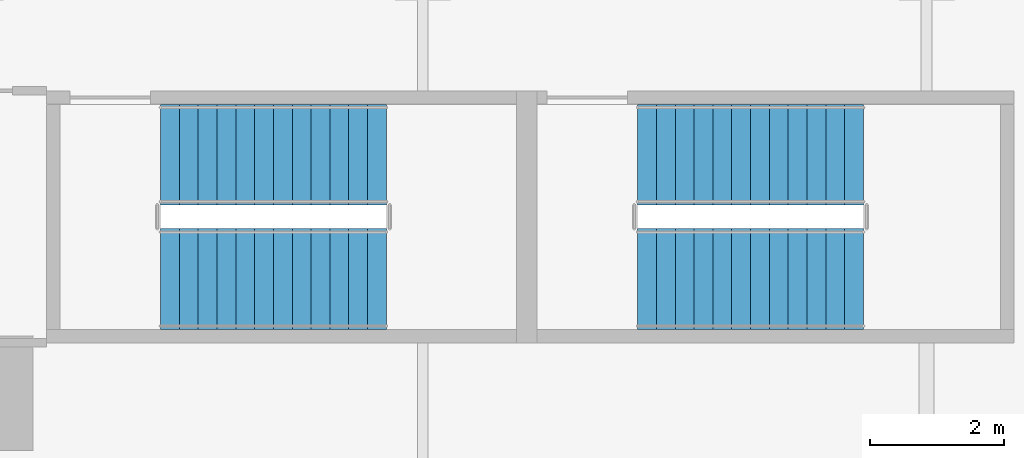
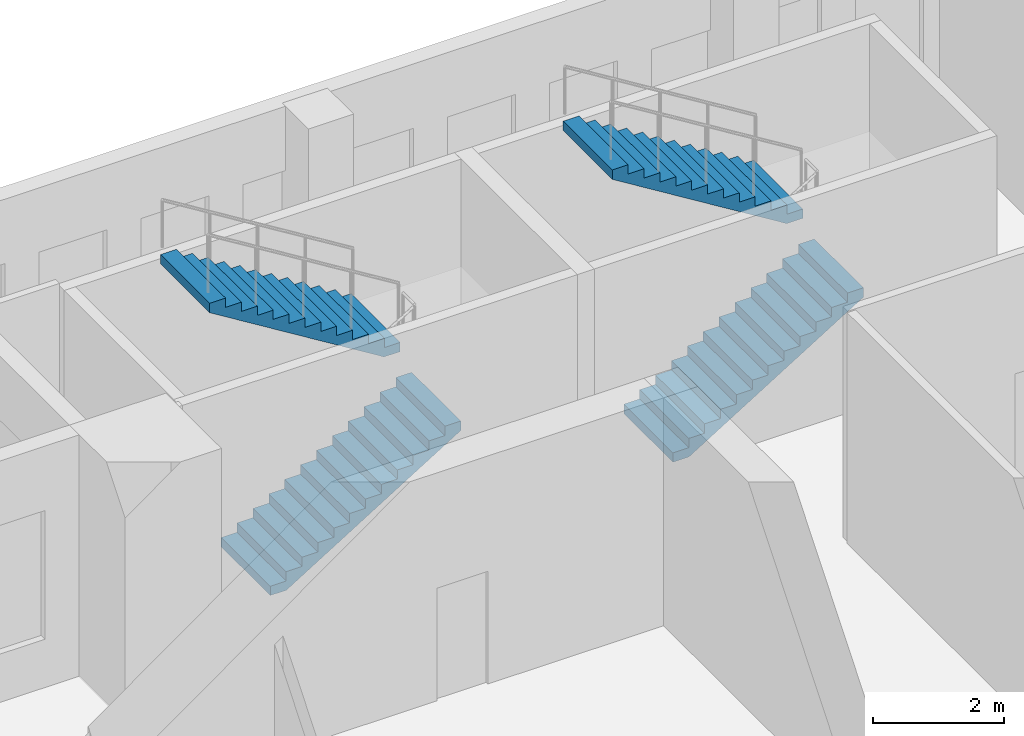
# One storey, part 7 of 11: 4 stair flights, 2 elements without a shape of their own.
"""IFC4 building model written with IfcOpenShell, lengths in metres."""

from ifc_helpers import new_model, si_unit, direction, frame, origin, place, context, subcontext, project, spatial, polyline, outline, extrude, source, transform, mapped, material, type_object, element, aggregate, save


model = new_model("IFC4")

# Units and contexts
model_context = context("Model", 3, precision=1e-05, world=origin(), true_north=direction((0.0, 1.0)))
body_context = subcontext(model_context, "Body", "Model", "MODEL_VIEW")
ifc_project = project(units=[si_unit("LENGTHUNIT", "METRE"), si_unit("AREAUNIT", "SQUARE_METRE"), si_unit("VOLUMEUNIT", "CUBIC_METRE"), si_unit("PLANEANGLEUNIT", "RADIAN"), si_unit("MASSUNIT", "GRAM", prefix="KILO")], contexts=[model_context])

# Site, building, storey
site_placement = place(None, origin())
site = spatial("IfcSite", under=ifc_project, at=site_placement, CompositionType="ELEMENT")
building_placement = place(site_placement, origin())
building = spatial("IfcBuilding", under=site, at=building_placement, Name="Khomas Fold Tower", CompositionType="ELEMENT")
storey_placement = place(building_placement, frame((0.0, 0.0, 334.699951171875)))
storey = spatial("IfcBuildingStorey", under=building, at=storey_placement, Name="C2", CompositionType="ELEMENT", Elevation=334.699951171875)

# Stair, stair flights
ifc_material_1 = material(Name="Concrete C40/50", Category="concrete")
stair_type_1 = type_object("IfcStairType", Name="Stair ST1", PredefinedType="HALF_TURN_STAIR", material=ifc_material_1)
stair_1_placement = place(storey_placement, origin())
stair_1 = element("IfcStair", 1, at=stair_1_placement, inside=storey, type_object=stair_type_1, Name="C2 ST1", PredefinedType="HALF_TURN_STAIR")
ifc_material_2 = material(Name="Concrete C40/50", Category="concrete")
stair_flight_type_1 = type_object("IfcStairFlightType", Name="Stair flight 1500 ST1", PredefinedType="STRAIGHT", material=ifc_material_2)
shared_shape = source(origin(), body_context, "Body", "SweptSolid", [
    extrude(outline(polyline([(0.0, 0.0), (0.0, 0.013427734375), (0.0, 0.026611328125), (0.0, 0.0400390625), (0.0, 0.05322265625), (0.0, 0.066650390625), (0.0, 0.079833984375), (0.0, 0.09326171875), (0.0, 0.1064453125), (0.0, 0.119873046875), (0.0, 0.133056640625), (0.0, 0.146484375), (0.0, 0.15966796875), (0.0, 0.173095703125), (0.280029296875, 0.173095703125), (0.280029296875, 0.34619140625), (0.56005859375, 0.34619140625), (0.56005859375, 0.519287109375), (0.840087890625, 0.519287109375), (0.840087890625, 0.6923828125), (1.1201171875, 0.6923828125), (1.1201171875, 0.865478515625), (1.39990234375, 0.865478515625), (1.39990234375, 1.03857421875), (1.679931640625, 1.03857421875), (1.679931640625, 1.21142578125), (1.9599609375, 1.21142578125), (1.9599609375, 1.384521484375), (2.239990234375, 1.384521484375), (2.239990234375, 1.5576171875), (2.52001953125, 1.5576171875), (2.52001953125, 1.730712890625), (2.800048828125, 1.730712890625), (2.800048828125, 1.90380859375), (3.080078125, 1.90380859375), (3.080078125, 2.076904296875), (3.360107421875, 2.076904296875), (3.360107421875, 2.25), (3.360107421875, 2.22314453125), (3.360107421875, 2.1962890625), (3.360107421875, 2.16943359375), (3.360107421875, 2.142578125), (3.360107421875, 2.11572265625), (3.360107421875, 2.0888671875), (3.360107421875, 2.06201171875), (3.360107421875, 2.03515625), (3.360107421875, 2.008056640625), (3.360107421875, 1.981201171875), (3.360107421875, 1.954345703125), (3.360107421875, 1.927490234375), (3.360107421875, 1.900634765625), (0.28515625, 0.0), (0.0, 0.0)])), frame((0.0, 0.75, 0.0), z_axis=(0.0, -1.0, 0.0), x_axis=(1.0, 0.0, 0.0)), (0.0, 0.0, 1.0), 1.5),
])
stair_flight_1_placement = place(storey_placement, frame((15.60009765625, 42.85009765625, 0.0), z_axis=(0.0, 0.0, 1.0), x_axis=(1.0, 0.0, 0.0)))
stair_flight_1 = element("IfcStairFlight", 2, at=stair_flight_1_placement, type_object=stair_flight_type_1, Name="ST1 flight 1", NumberOfRisers=13, NumberOfTreads=12, PredefinedType="STRAIGHT", RiserHeight=0.173076923, TreadLength=0.28, context=body_context, shape_type="MappedRepresentation", body=[
    mapped(shared_shape, transform((0.0, 0.0, 0.0))),
])
stair_flight_2_placement = place(storey_placement, frame((18.9599609375, 44.699951171875, 2.25), z_axis=(0.0, 0.0, 1.0), x_axis=(-1.0, 0.0, 0.0)))
stair_flight_2 = element("IfcStairFlight", 3, at=stair_flight_2_placement, type_object=stair_flight_type_1, Name="ST1 flight 2", NumberOfRisers=13, NumberOfTreads=12, PredefinedType="STRAIGHT", RiserHeight=0.173076923, TreadLength=0.28, context=body_context, shape_type="MappedRepresentation", body=[
    mapped(shared_shape, transform((0.0, 0.0, 0.0))),
])
aggregate(stair_1, [stair_flight_1, stair_flight_2])

ifc_material_3 = material(Name="Concrete C40/50", Category="concrete")
stair_type_2 = type_object("IfcStairType", Name="Stair ST3", PredefinedType="HALF_TURN_STAIR", material=ifc_material_3)
stair_2_placement = place(storey_placement, origin())
stair_2 = element("IfcStair", 4, at=stair_2_placement, inside=storey, type_object=stair_type_2, Name="C2 ST3", PredefinedType="HALF_TURN_STAIR")
ifc_material_4 = material(Name="Concrete C40/50", Category="concrete")
stair_flight_type_2 = type_object("IfcStairFlightType", Name="Stair flight 1500 ST3", PredefinedType="STRAIGHT", material=ifc_material_4)
stair_flight_3_placement = place(storey_placement, frame((22.699951171875, 42.85009765625, 0.0), z_axis=(0.0, 0.0, 1.0), x_axis=(1.0, 0.0, 0.0)))
stair_flight_3 = element("IfcStairFlight", 5, at=stair_flight_3_placement, type_object=stair_flight_type_2, Name="ST3 flight 1", NumberOfRisers=13, NumberOfTreads=12, PredefinedType="STRAIGHT", RiserHeight=0.173076923, TreadLength=0.28, context=body_context, shape_type="MappedRepresentation", body=[
    mapped(shared_shape, transform((0.0, 0.0, 0.0))),
])
stair_flight_4_placement = place(storey_placement, frame((26.06005859375, 44.699951171875, 2.25), z_axis=(0.0, 0.0, 1.0), x_axis=(-1.0, 0.0, 0.0)))
stair_flight_4 = element("IfcStairFlight", 6, at=stair_flight_4_placement, type_object=stair_flight_type_2, Name="ST3 flight 2", NumberOfRisers=13, NumberOfTreads=12, PredefinedType="STRAIGHT", RiserHeight=0.173076923, TreadLength=0.28, context=body_context, shape_type="MappedRepresentation", body=[
    mapped(shared_shape, transform((0.0, 0.0, 0.0))),
])
aggregate(stair_2, [stair_flight_3, stair_flight_4])

save(model, "model.ifc")
